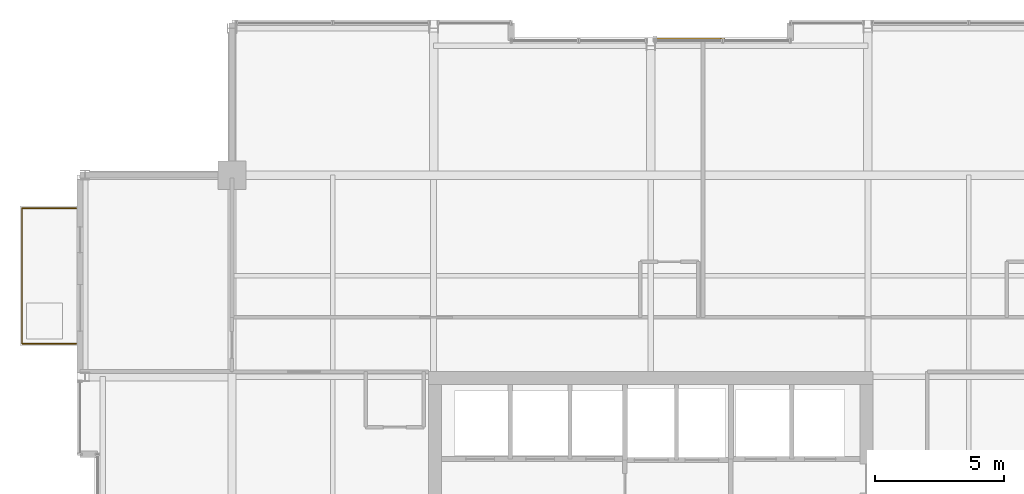
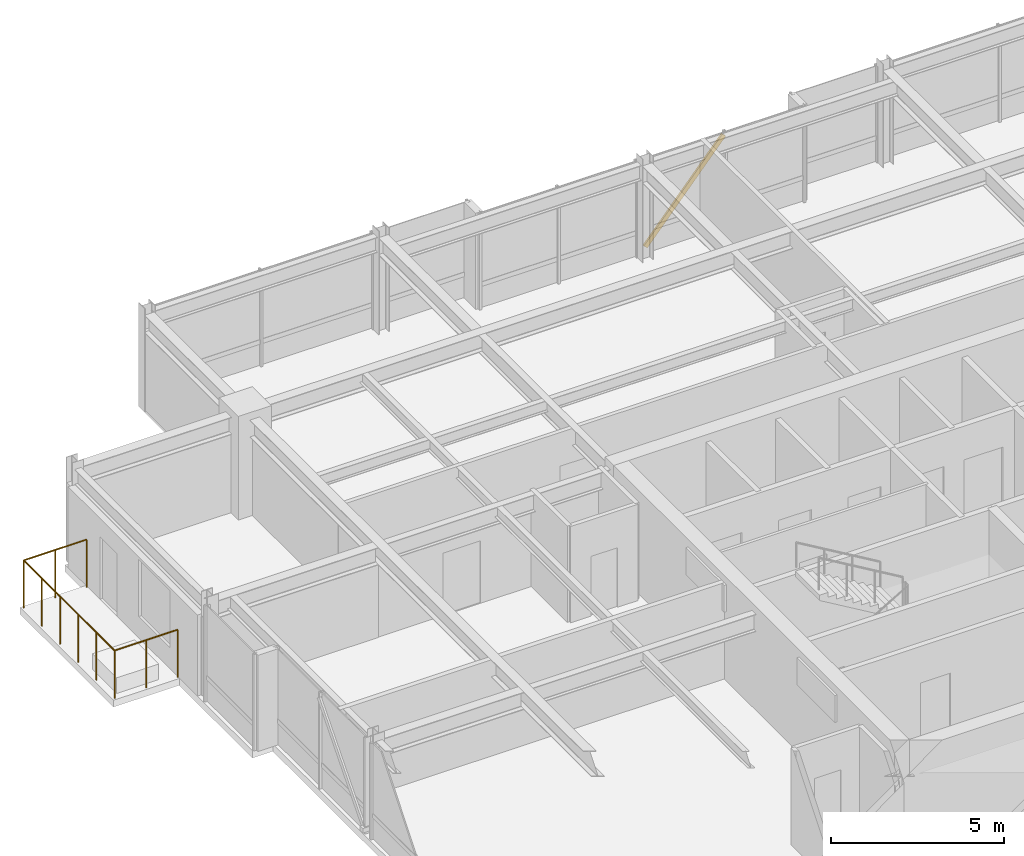
# One storey, part 33 of 33: 1 railing, 1 shading device.
"""IFC4 building model written with IfcOpenShell, lengths in metres."""

from ifc_helpers import new_model, si_unit, direction, frame, origin, origin_2d, place, context, subcontext, project, spatial, hollow_rectangle, circle, extrude, material, material_profile, profile_set, type_object, element, save


model = new_model("IFC4")

# Units and contexts
model_context = context("Model", 3, precision=1e-05, world=origin(), true_north=direction((0.0, 1.0)))
body_context = subcontext(model_context, "Body", "Model", "MODEL_VIEW")
ifc_project = project(units=[si_unit("LENGTHUNIT", "METRE"), si_unit("AREAUNIT", "SQUARE_METRE"), si_unit("VOLUMEUNIT", "CUBIC_METRE"), si_unit("PLANEANGLEUNIT", "RADIAN"), si_unit("MASSUNIT", "GRAM", prefix="KILO")], contexts=[model_context])

# Site, building, storey
site_placement = place(None, origin())
site = spatial("IfcSite", under=ifc_project, at=site_placement, CompositionType="ELEMENT")
building_placement = place(site_placement, origin())
building = spatial("IfcBuilding", under=site, at=building_placement, Name="Drelvath Grand Hotel", CompositionType="ELEMENT")
storey_placement = place(building_placement, frame((0.0, 0.0, 279.60009765625)))
storey = spatial("IfcBuildingStorey", under=building, at=storey_placement, Name="L73", CompositionType="ELEMENT", Elevation=279.60009765625)

# Shading device
ifc_material_1 = material(Name="Platinum-Mist Anodised Aluminium", Category="aluminium")
ifc_material_profile = material_profile(ifc_material_1, hollow_rectangle(XDim=0.06494140625, YDim=0.159912109375, WallThickness=0.00390625, at=origin_2d()), Name="HSS160X65X4")
ifc_profile_set = profile_set([ifc_material_profile], Name="Platinum-Mist Anodised Aluminium")
shading_device_type = type_object("IfcShadingDeviceType", Name="Diagonal Solar Fin Platinum Anodised HSS160X65X4", PredefinedType="USERDEFINED", material=ifc_profile_set)
shading_device_placement = place(storey_placement, frame((0.170166015625, 48.47998046875, 0.179931640625), z_axis=(0.653354613196, 0.0, 0.757052012358), x_axis=(0.0, 1.0, 0.0)))
element("IfcShadingDevice", 1, at=shading_device_placement, inside=storey, type_object=shading_device_type, Name="L73 Diagonal Anodised Fin CW05-L73-NM2", ObjectType="FIN", PredefinedType="USERDEFINED", context=body_context, shape_type="SweptSolid", body=[
    extrude(hollow_rectangle(XDim=0.06494140625, YDim=0.159912109375, WallThickness=0.00390625, at=origin_2d()), origin(), (0.0, 0.0, 1.0), 4.00244140625),
])

# Railing
ifc_material_2 = material(Name="Anodised Aluminium and Laminated Glass Balustrade", Category="aluminium")
railing_type = type_object("IfcRailingType", Name="Raised Planter Edge Balustrade 1700", PredefinedType="BALUSTRADE", material=ifc_material_2)
railing_placement = place(storey_placement, frame((-22.219970703125, 36.679931640625, 0.0)))
element("IfcRailing", 2, at=railing_placement, inside=storey, type_object=railing_type, Name="L73 Tree Balcony Perimeter Balustrade 1", PredefinedType="BALUSTRADE", context=body_context, shape_type="SweptSolid", body=[
    extrude(circle(Radius=0.02392578125, at=origin_2d()), frame((0.0, 0.0, 1.67578125), z_axis=(-1.0, 0.0, 0.0), x_axis=(0.0, -1.0, 0.0)), (0.0, 0.0, 1.0), 2.10009765625),
    extrude(circle(Radius=0.02392578125, at=origin_2d()), frame((-2.10009765625, 0.0, 1.67578125), z_axis=(0.0, 1.0, 0.0), x_axis=(-1.0, 0.0, 0.0)), (0.0, 0.0, 1.0), 5.239990234375),
    extrude(circle(Radius=0.02392578125, at=origin_2d()), frame((-2.10009765625, 5.239990234375, 1.67578125), z_axis=(1.0, 0.0, 0.0), x_axis=(0.0, 1.0, 0.0)), (0.0, 0.0, 1.0), 2.10009765625),
    extrude(circle(Radius=0.02099609375, at=origin_2d()), origin(), (0.0, 0.0, 1.0), 1.65185546875),
    extrude(circle(Radius=0.02099609375, at=origin_2d()), frame((-1.050048828125, 0.0, 0.0)), (0.0, 0.0, 1.0), 1.65185546875),
    extrude(circle(Radius=0.02099609375, at=origin_2d()), frame((-2.10009765625, 0.0, 0.0)), (0.0, 0.0, 1.0), 1.65185546875),
    extrude(circle(Radius=0.02099609375, at=origin_2d()), frame((-2.10009765625, 1.048095703125, 0.0)), (0.0, 0.0, 1.0), 1.65185546875),
    extrude(circle(Radius=0.02099609375, at=origin_2d()), frame((-2.10009765625, 2.095947265625, 0.0)), (0.0, 0.0, 1.0), 1.65185546875),
    extrude(circle(Radius=0.02099609375, at=origin_2d()), frame((-2.10009765625, 3.14404296875, 0.0)), (0.0, 0.0, 1.0), 1.65185546875),
    extrude(circle(Radius=0.02099609375, at=origin_2d()), frame((-2.10009765625, 4.19189453125, 0.0)), (0.0, 0.0, 1.0), 1.65185546875),
    extrude(circle(Radius=0.02099609375, at=origin_2d()), frame((-2.10009765625, 5.239990234375, 0.0)), (0.0, 0.0, 1.0), 1.65185546875),
    extrude(circle(Radius=0.02099609375, at=origin_2d()), frame((-1.050048828125, 5.239990234375, 0.0)), (0.0, 0.0, 1.0), 1.65185546875),
    extrude(circle(Radius=0.02099609375, at=origin_2d()), frame((0.0, 5.239990234375, 0.0)), (0.0, 0.0, 1.0), 1.65185546875),
])

save(model, "model.ifc")
